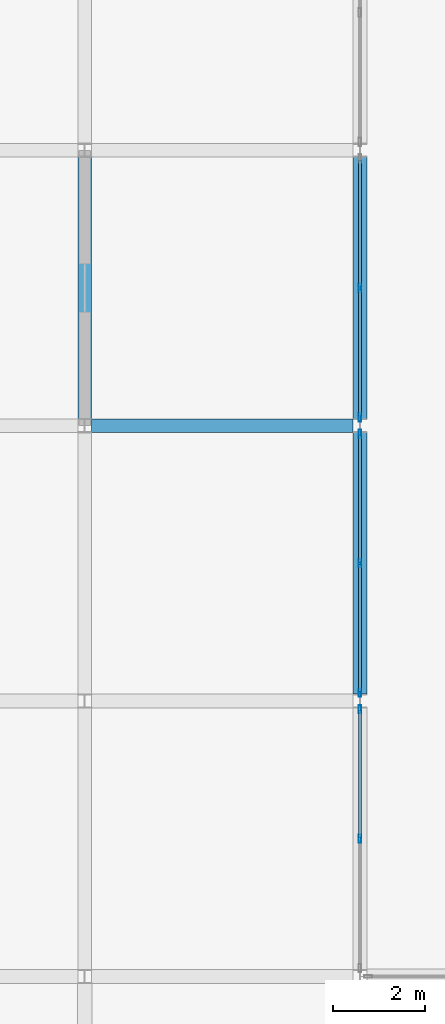
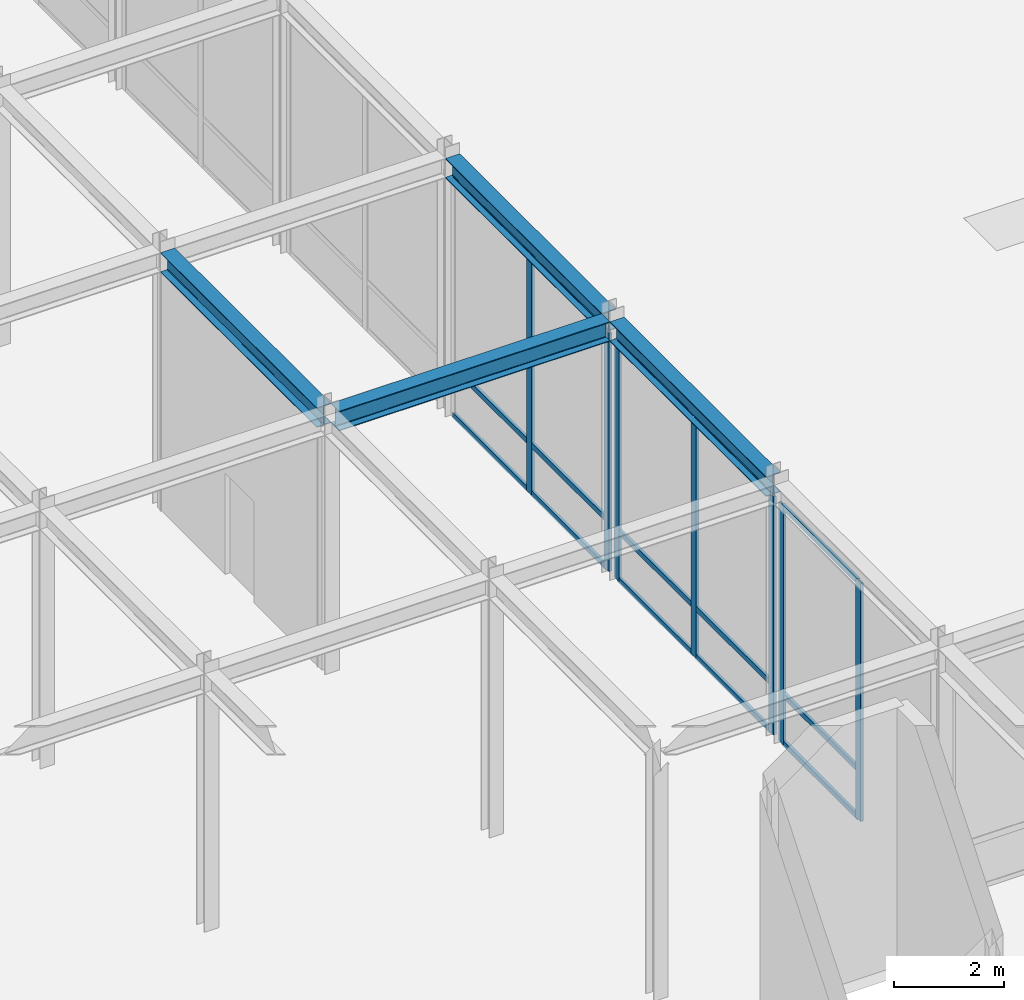
# One storey, part 64 of 108: 22 members, 4 beams, 3 elements without a shape of their own.
"""IFC4 building model written with IfcOpenShell, lengths in metres."""

from ifc_helpers import new_model, si_unit, direction, frame, origin, origin_2d, place, context, subcontext, project, spatial, hollow_rectangle, i_section, extrude, material, layer, layer_set, material_profile, profile_set, type_object, element, aggregate, save


model = new_model("IFC4")

# Units and contexts
model_context = context("Model", 3, precision=1e-05, world=origin(), true_north=direction((0.0, 1.0)))
body_context = subcontext(model_context, "Body", "Model", "MODEL_VIEW")
ifc_project = project(units=[si_unit("LENGTHUNIT", "METRE"), si_unit("AREAUNIT", "SQUARE_METRE"), si_unit("VOLUMEUNIT", "CUBIC_METRE"), si_unit("PLANEANGLEUNIT", "RADIAN"), si_unit("MASSUNIT", "GRAM", prefix="KILO")], contexts=[model_context])

# Site, building, storey
site_placement = place(None, origin())
site = spatial("IfcSite", under=ifc_project, at=site_placement, CompositionType="ELEMENT")
building_placement = place(site_placement, origin())
building = spatial("IfcBuilding", under=site, at=building_placement, Name="Zlatovratsky Civic Hall", CompositionType="ELEMENT")
storey_placement = place(building_placement, frame((0.0, 0.0, 6.0)))
storey = spatial("IfcBuildingStorey", under=building, at=storey_placement, Name="L02", CompositionType="ELEMENT", Elevation=6.0)

# Beams
ifc_material_1 = material(Name="Steel S355", Category="steel")
ifc_material_profile_1 = material_profile(ifc_material_1, i_section(OverallWidth=0.300048828125, OverallDepth=0.43994140625, WebThickness=0.010986328125, FlangeThickness=0.01806640625, FilletRadius=0.02197265625, at=origin_2d()), Name="45Sh1")
ifc_profile_set_1 = profile_set([ifc_material_profile_1], Name="Steel S355")
beam_type = type_object("IfcBeamType", Name="Beam_TowerLow_45Sh1", PredefinedType="BEAM", material=ifc_profile_set_1)
for number, where, z_axis, x_axis, name in (
    (1, (114.14990234375, 42.0, 5.5400390625), (1.0, 0.0, 0.0), (0.0, 1.0, 0.0), "BM-1830"),
    (2, (114.0, 42.14990234375, 5.5400390625), (0.0, 1.0, 0.0), (-1.0, 0.0, 0.0), "BM-2287"),
    (3, (120.0, 36.14990234375, 5.5400390625), (0.0, 1.0, 0.0), (-1.0, 0.0, 0.0), "BM-2303"),
    (4, (120.0, 42.14990234375, 5.5400390625), (0.0, 1.0, 0.0), (-1.0, 0.0, 0.0), "BM-2304"),
):
    element("IfcBeam", number, at=place(storey_placement, frame(where, z_axis=z_axis, x_axis=x_axis)), inside=storey, type_object=beam_type, Name=name, PredefinedType="BEAM", context=body_context, shape_type="SweptSolid", body=[
        extrude(i_section(OverallWidth=0.300048828125, OverallDepth=0.43994140625, WebThickness=0.010986328125, FlangeThickness=0.01806640625, FilletRadius=0.02197265625, at=origin_2d()), origin(), (0.0, 0.0, 1.0), 5.7001953125),
    ])

# Curtain wall, members
ifc_material_2 = material(Name="Anodised bronze aluminium", Category="aluminium")
ifc_layer = layer(ifc_material_2, 0.159912109375)
ifc_layer_set = layer_set([ifc_layer], Name="Anodised bronze aluminium")
curtain_wall_type = type_object("IfcCurtainWallType", Name="CurtainWall_Bronze_5700x5310_06", PredefinedType="NOTDEFINED", material=ifc_layer_set)
curtain_wall_1_placement = place(storey_placement, origin())
curtain_wall_1 = element("IfcCurtainWall", 5, at=curtain_wall_1_placement, inside=storey, type_object=curtain_wall_type, Name="CW-033", PredefinedType="NOTDEFINED")
ifc_material_profile_2 = material_profile(ifc_material_2, hollow_rectangle(XDim=0.06005859375, YDim=0.179931640625, WallThickness=0.00390625, at=origin_2d()), Name="ALU 60x180x4")
ifc_profile_set_2 = profile_set([ifc_material_profile_2], Name="Anodised bronze aluminium")
member_type_1 = type_object("IfcMemberType", Name="CW_Mullion_60x180", PredefinedType="MULLION", material=ifc_profile_set_2)
member_1_placement = place(storey_placement, frame((120.0, 33.0, 0.0), z_axis=(0.0, 0.0, 1.0), x_axis=(-1.0, 0.0, 0.0)))
member_1 = element("IfcMember", 6, at=member_1_placement, type_object=member_type_1, Name="CW-06 mullion 2", PredefinedType="MULLION", context=body_context, shape_type="SweptSolid", body=[
    extrude(hollow_rectangle(XDim=0.06005859375, YDim=0.179931640625, WallThickness=0.00390625, at=origin_2d()), origin(), (0.0, 0.0, 1.0), 5.31005859375),
])
member_2_placement = place(storey_placement, frame((120.0, 35.820068359375, 0.0), z_axis=(0.0, 0.0, 1.0), x_axis=(-1.0, 0.0, 0.0)))
member_2 = element("IfcMember", 7, at=member_2_placement, type_object=member_type_1, Name="CW-06 mullion 3", PredefinedType="MULLION", context=body_context, shape_type="SweptSolid", body=[
    extrude(hollow_rectangle(XDim=0.06005859375, YDim=0.179931640625, WallThickness=0.00390625, at=origin_2d()), origin(), (0.0, 0.0, 1.0), 5.31005859375),
])

curtain_wall_2_placement = place(storey_placement, origin())
curtain_wall_2 = element("IfcCurtainWall", 8, at=curtain_wall_2_placement, inside=storey, type_object=curtain_wall_type, Name="CW-034", PredefinedType="NOTDEFINED")
member_3_placement = place(storey_placement, frame((120.0, 36.179931640625, 0.0), z_axis=(0.0, 0.0, 1.0), x_axis=(-1.0, 0.0, 0.0)))
member_3 = element("IfcMember", 9, at=member_3_placement, type_object=member_type_1, Name="CW-06 mullion 1", PredefinedType="MULLION", context=body_context, shape_type="SweptSolid", body=[
    extrude(hollow_rectangle(XDim=0.06005859375, YDim=0.179931640625, WallThickness=0.00390625, at=origin_2d()), origin(), (0.0, 0.0, 1.0), 5.31005859375),
])
member_4_placement = place(storey_placement, frame((120.0, 39.0, 0.0), z_axis=(0.0, 0.0, 1.0), x_axis=(-1.0, 0.0, 0.0)))
member_4 = element("IfcMember", 10, at=member_4_placement, type_object=member_type_1, Name="CW-06 mullion 2", PredefinedType="MULLION", context=body_context, shape_type="SweptSolid", body=[
    extrude(hollow_rectangle(XDim=0.06005859375, YDim=0.179931640625, WallThickness=0.00390625, at=origin_2d()), origin(), (0.0, 0.0, 1.0), 5.31005859375),
])
member_5_placement = place(storey_placement, frame((120.0, 41.820068359375, 0.0), z_axis=(0.0, 0.0, 1.0), x_axis=(-1.0, 0.0, 0.0)))
member_5 = element("IfcMember", 11, at=member_5_placement, type_object=member_type_1, Name="CW-06 mullion 3", PredefinedType="MULLION", context=body_context, shape_type="SweptSolid", body=[
    extrude(hollow_rectangle(XDim=0.06005859375, YDim=0.179931640625, WallThickness=0.00390625, at=origin_2d()), origin(), (0.0, 0.0, 1.0), 5.31005859375),
])

curtain_wall_3_placement = place(storey_placement, origin())
curtain_wall_3 = element("IfcCurtainWall", 12, at=curtain_wall_3_placement, inside=storey, type_object=curtain_wall_type, Name="CW-035", PredefinedType="NOTDEFINED")
member_6_placement = place(storey_placement, frame((120.0, 42.179931640625, 0.0), z_axis=(0.0, 0.0, 1.0), x_axis=(-1.0, 0.0, 0.0)))
member_6 = element("IfcMember", 13, at=member_6_placement, type_object=member_type_1, Name="CW-06 mullion 1", PredefinedType="MULLION", context=body_context, shape_type="SweptSolid", body=[
    extrude(hollow_rectangle(XDim=0.06005859375, YDim=0.179931640625, WallThickness=0.00390625, at=origin_2d()), origin(), (0.0, 0.0, 1.0), 5.31005859375),
])
member_7_placement = place(storey_placement, frame((120.0, 45.0, 0.0), z_axis=(0.0, 0.0, 1.0), x_axis=(-1.0, 0.0, 0.0)))
member_7 = element("IfcMember", 14, at=member_7_placement, type_object=member_type_1, Name="CW-06 mullion 2", PredefinedType="MULLION", context=body_context, shape_type="SweptSolid", body=[
    extrude(hollow_rectangle(XDim=0.06005859375, YDim=0.179931640625, WallThickness=0.00390625, at=origin_2d()), origin(), (0.0, 0.0, 1.0), 5.31005859375),
])

# Member
ifc_material_profile_3 = material_profile(ifc_material_2, hollow_rectangle(XDim=0.06005859375, YDim=0.1201171875, WallThickness=0.00390625, at=origin_2d()), Name="ALU 60x120x4")
ifc_profile_set_3 = profile_set([ifc_material_profile_3], Name="Anodised bronze aluminium")
member_type_2 = type_object("IfcMemberType", Name="CW_Transom_60x120", PredefinedType="USERDEFINED", material=ifc_profile_set_3)
member_8_placement = place(storey_placement, frame((120.0, 33.030029296875, 0.030029296875), z_axis=(0.0, 1.0, 0.0), x_axis=(-1.0, 0.0, 0.0)))
member_8 = element("IfcMember", 15, at=member_8_placement, type_object=member_type_2, Name="CW-06 transom 2.1", ObjectType="TRANSOM", PredefinedType="USERDEFINED", context=body_context, shape_type="SweptSolid", body=[
    extrude(hollow_rectangle(XDim=0.06005859375, YDim=0.1201171875, WallThickness=0.00390625, at=origin_2d()), origin(), (0.0, 0.0, 1.0), 2.760009765625),
])

member_9_placement = place(storey_placement, frame((120.0, 33.030029296875, 1.10009765625), z_axis=(0.0, 1.0, 0.0), x_axis=(-1.0, 0.0, 0.0)))
member_9 = element("IfcMember", 16, at=member_9_placement, type_object=member_type_2, Name="CW-06 transom 2.2", ObjectType="TRANSOM", PredefinedType="USERDEFINED", context=body_context, shape_type="SweptSolid", body=[
    extrude(hollow_rectangle(XDim=0.06005859375, YDim=0.1201171875, WallThickness=0.00390625, at=origin_2d()), origin(), (0.0, 0.0, 1.0), 2.760009765625),
])

member_10_placement = place(storey_placement, frame((120.0, 33.030029296875, 5.280029296875), z_axis=(0.0, 1.0, 0.0), x_axis=(-1.0, 0.0, 0.0)))
member_10 = element("IfcMember", 17, at=member_10_placement, type_object=member_type_2, Name="CW-06 transom 2.3", ObjectType="TRANSOM", PredefinedType="USERDEFINED", context=body_context, shape_type="SweptSolid", body=[
    extrude(hollow_rectangle(XDim=0.06005859375, YDim=0.1201171875, WallThickness=0.00390625, at=origin_2d()), origin(), (0.0, 0.0, 1.0), 2.760009765625),
])

aggregate(curtain_wall_1, [member_1, member_2, member_8, member_9, member_10])

member_11_placement = place(storey_placement, frame((120.0, 36.2099609375, 0.030029296875), z_axis=(0.0, 1.0, 0.0), x_axis=(-1.0, 0.0, 0.0)))
member_11 = element("IfcMember", 18, at=member_11_placement, type_object=member_type_2, Name="CW-06 transom 1.1", ObjectType="TRANSOM", PredefinedType="USERDEFINED", context=body_context, shape_type="SweptSolid", body=[
    extrude(hollow_rectangle(XDim=0.06005859375, YDim=0.1201171875, WallThickness=0.00390625, at=origin_2d()), origin(), (0.0, 0.0, 1.0), 2.760009765625),
])

member_12_placement = place(storey_placement, frame((120.0, 36.2099609375, 1.10009765625), z_axis=(0.0, 1.0, 0.0), x_axis=(-1.0, 0.0, 0.0)))
member_12 = element("IfcMember", 19, at=member_12_placement, type_object=member_type_2, Name="CW-06 transom 1.2", ObjectType="TRANSOM", PredefinedType="USERDEFINED", context=body_context, shape_type="SweptSolid", body=[
    extrude(hollow_rectangle(XDim=0.06005859375, YDim=0.1201171875, WallThickness=0.00390625, at=origin_2d()), origin(), (0.0, 0.0, 1.0), 2.760009765625),
])

member_13_placement = place(storey_placement, frame((120.0, 36.2099609375, 5.280029296875), z_axis=(0.0, 1.0, 0.0), x_axis=(-1.0, 0.0, 0.0)))
member_13 = element("IfcMember", 20, at=member_13_placement, type_object=member_type_2, Name="CW-06 transom 1.3", ObjectType="TRANSOM", PredefinedType="USERDEFINED", context=body_context, shape_type="SweptSolid", body=[
    extrude(hollow_rectangle(XDim=0.06005859375, YDim=0.1201171875, WallThickness=0.00390625, at=origin_2d()), origin(), (0.0, 0.0, 1.0), 2.760009765625),
])

member_14_placement = place(storey_placement, frame((120.0, 39.030029296875, 0.030029296875), z_axis=(0.0, 1.0, 0.0), x_axis=(-1.0, 0.0, 0.0)))
member_14 = element("IfcMember", 21, at=member_14_placement, type_object=member_type_2, Name="CW-06 transom 2.1", ObjectType="TRANSOM", PredefinedType="USERDEFINED", context=body_context, shape_type="SweptSolid", body=[
    extrude(hollow_rectangle(XDim=0.06005859375, YDim=0.1201171875, WallThickness=0.00390625, at=origin_2d()), origin(), (0.0, 0.0, 1.0), 2.760009765625),
])

member_15_placement = place(storey_placement, frame((120.0, 39.030029296875, 1.10009765625), z_axis=(0.0, 1.0, 0.0), x_axis=(-1.0, 0.0, 0.0)))
member_15 = element("IfcMember", 22, at=member_15_placement, type_object=member_type_2, Name="CW-06 transom 2.2", ObjectType="TRANSOM", PredefinedType="USERDEFINED", context=body_context, shape_type="SweptSolid", body=[
    extrude(hollow_rectangle(XDim=0.06005859375, YDim=0.1201171875, WallThickness=0.00390625, at=origin_2d()), origin(), (0.0, 0.0, 1.0), 2.760009765625),
])

member_16_placement = place(storey_placement, frame((120.0, 39.030029296875, 5.280029296875), z_axis=(0.0, 1.0, 0.0), x_axis=(-1.0, 0.0, 0.0)))
member_16 = element("IfcMember", 23, at=member_16_placement, type_object=member_type_2, Name="CW-06 transom 2.3", ObjectType="TRANSOM", PredefinedType="USERDEFINED", context=body_context, shape_type="SweptSolid", body=[
    extrude(hollow_rectangle(XDim=0.06005859375, YDim=0.1201171875, WallThickness=0.00390625, at=origin_2d()), origin(), (0.0, 0.0, 1.0), 2.760009765625),
])

aggregate(curtain_wall_2, [member_3, member_4, member_5, member_11, member_12, member_13, member_14, member_15, member_16])

member_17_placement = place(storey_placement, frame((120.0, 42.2099609375, 0.030029296875), z_axis=(0.0, 1.0, 0.0), x_axis=(-1.0, 0.0, 0.0)))
member_17 = element("IfcMember", 24, at=member_17_placement, type_object=member_type_2, Name="CW-06 transom 1.1", ObjectType="TRANSOM", PredefinedType="USERDEFINED", context=body_context, shape_type="SweptSolid", body=[
    extrude(hollow_rectangle(XDim=0.06005859375, YDim=0.1201171875, WallThickness=0.00390625, at=origin_2d()), origin(), (0.0, 0.0, 1.0), 2.760009765625),
])

member_18_placement = place(storey_placement, frame((120.0, 42.2099609375, 1.10009765625), z_axis=(0.0, 1.0, 0.0), x_axis=(-1.0, 0.0, 0.0)))
member_18 = element("IfcMember", 25, at=member_18_placement, type_object=member_type_2, Name="CW-06 transom 1.2", ObjectType="TRANSOM", PredefinedType="USERDEFINED", context=body_context, shape_type="SweptSolid", body=[
    extrude(hollow_rectangle(XDim=0.06005859375, YDim=0.1201171875, WallThickness=0.00390625, at=origin_2d()), origin(), (0.0, 0.0, 1.0), 2.760009765625),
])

member_19_placement = place(storey_placement, frame((120.0, 42.2099609375, 5.280029296875), z_axis=(0.0, 1.0, 0.0), x_axis=(-1.0, 0.0, 0.0)))
member_19 = element("IfcMember", 26, at=member_19_placement, type_object=member_type_2, Name="CW-06 transom 1.3", ObjectType="TRANSOM", PredefinedType="USERDEFINED", context=body_context, shape_type="SweptSolid", body=[
    extrude(hollow_rectangle(XDim=0.06005859375, YDim=0.1201171875, WallThickness=0.00390625, at=origin_2d()), origin(), (0.0, 0.0, 1.0), 2.760009765625),
])

member_20_placement = place(storey_placement, frame((120.0, 45.030029296875, 0.030029296875), z_axis=(0.0, 1.0, 0.0), x_axis=(-1.0, 0.0, 0.0)))
member_20 = element("IfcMember", 27, at=member_20_placement, type_object=member_type_2, Name="CW-06 transom 2.1", ObjectType="TRANSOM", PredefinedType="USERDEFINED", context=body_context, shape_type="SweptSolid", body=[
    extrude(hollow_rectangle(XDim=0.06005859375, YDim=0.1201171875, WallThickness=0.00390625, at=origin_2d()), origin(), (0.0, 0.0, 1.0), 2.760009765625),
])

member_21_placement = place(storey_placement, frame((120.0, 45.030029296875, 1.10009765625), z_axis=(0.0, 1.0, 0.0), x_axis=(-1.0, 0.0, 0.0)))
member_21 = element("IfcMember", 28, at=member_21_placement, type_object=member_type_2, Name="CW-06 transom 2.2", ObjectType="TRANSOM", PredefinedType="USERDEFINED", context=body_context, shape_type="SweptSolid", body=[
    extrude(hollow_rectangle(XDim=0.06005859375, YDim=0.1201171875, WallThickness=0.00390625, at=origin_2d()), origin(), (0.0, 0.0, 1.0), 2.760009765625),
])

member_22_placement = place(storey_placement, frame((120.0, 45.030029296875, 5.280029296875), z_axis=(0.0, 1.0, 0.0), x_axis=(-1.0, 0.0, 0.0)))
member_22 = element("IfcMember", 29, at=member_22_placement, type_object=member_type_2, Name="CW-06 transom 2.3", ObjectType="TRANSOM", PredefinedType="USERDEFINED", context=body_context, shape_type="SweptSolid", body=[
    extrude(hollow_rectangle(XDim=0.06005859375, YDim=0.1201171875, WallThickness=0.00390625, at=origin_2d()), origin(), (0.0, 0.0, 1.0), 2.760009765625),
])

aggregate(curtain_wall_3, [member_6, member_7, member_17, member_18, member_19, member_20, member_21, member_22])

save(model, "model.ifc")
